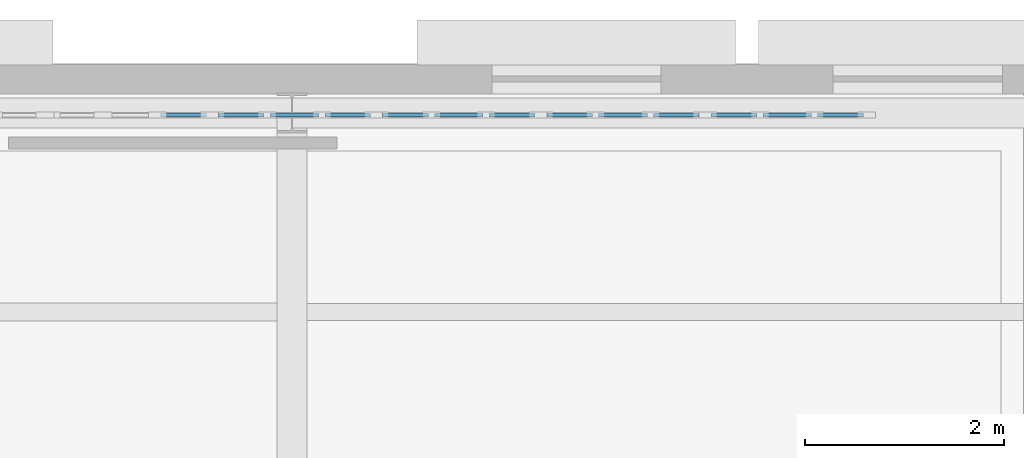
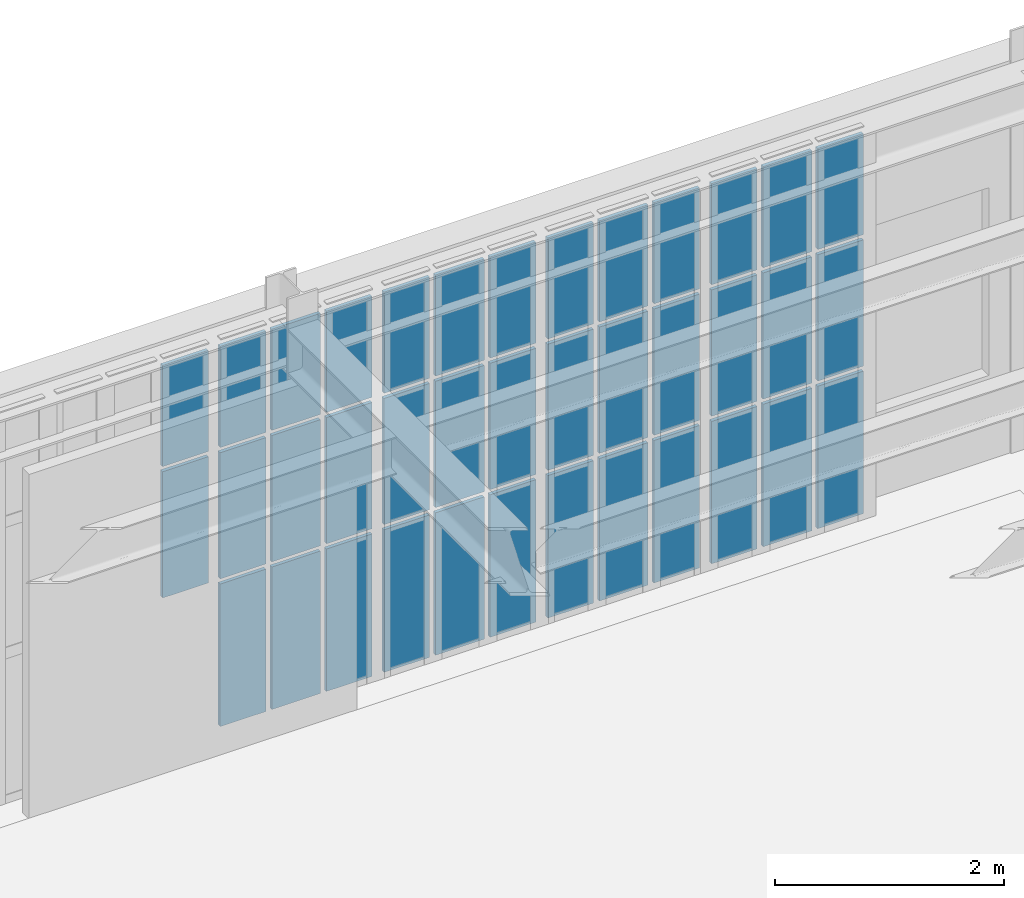
# One storey, part 59 of 91: 38 plates, 5 elements without a shape of their own.
"""IFC4 building model written with IfcOpenShell, lengths in metres."""

from ifc_helpers import new_model, si_unit, direction, frame, origin, origin_2d, place, context, subcontext, project, spatial, rectangle, extrude, material, layer, layer_set, type_object, element, aggregate, save


model = new_model("IFC4")

# Units and contexts
model_context = context("Model", 3, precision=1e-05, world=origin(), true_north=direction((0.0, 1.0)))
body_context = subcontext(model_context, "Body", "Model", "MODEL_VIEW")
ifc_project = project(units=[si_unit("LENGTHUNIT", "METRE"), si_unit("AREAUNIT", "SQUARE_METRE"), si_unit("VOLUMEUNIT", "CUBIC_METRE"), si_unit("PLANEANGLEUNIT", "RADIAN"), si_unit("MASSUNIT", "GRAM", prefix="KILO")], contexts=[model_context])

# Site, building, storey
site_placement = place(None, origin())
site = spatial("IfcSite", under=ifc_project, at=site_placement, CompositionType="ELEMENT")
building_placement = place(site_placement, origin())
building = spatial("IfcBuilding", under=site, at=building_placement, Name="Kolvaren Corner Interchange", CompositionType="ELEMENT")
storey_placement = place(building_placement, frame((0.0, 0.0, 6.0)))
storey = spatial("IfcBuildingStorey", under=building, at=storey_placement, Name="L02", CompositionType="ELEMENT", Elevation=6.0)

# Curtain wall, plates
ifc_material_1 = material(Name="Unitised Aluminium and Solar-Control Glass Curtain Wall", Category="aluminium")
curtain_wall_type = type_object("IfcCurtainWallType", Name="CW-V3-MEZZ", PredefinedType="NOTDEFINED", material=ifc_material_1)
curtain_wall_1_placement = place(storey_placement, origin())
curtain_wall_1 = element("IfcCurtainWall", 1, at=curtain_wall_1_placement, inside=storey, type_object=curtain_wall_type, Name="Cycle Mezzanine North Curtain Wall Bay 08", PredefinedType="NOTDEFINED")
ifc_material_2 = material(Name="Low-E Solar-Control Laminated Glass", Category="glass")
ifc_layer = layer(ifc_material_2, 0.035888671875)
ifc_layer_set = layer_set([ifc_layer], Name="Low-E Solar-Control Laminated Glass")
plate_type = type_object("IfcPlateType", Name="PLT-CW-GL32", PredefinedType="CURTAIN_PANEL", material=ifc_layer_set)
plate_1_placement = place(storey_placement, frame((104.909912109375, 113.47998046875, 1.62744140625), z_axis=(0.0, 0.0, 1.0), x_axis=(1.0, 0.0, 0.0)))
plate_1 = element("IfcPlate", 2, at=plate_1_placement, type_object=plate_type, Name="CW-121 panel 3.2", PredefinedType="CURTAIN_PANEL", context=body_context, shape_type="SweptSolid", body=[
    extrude(rectangle(XDim=0.4599609375, YDim=0.035888671875, at=origin_2d()), origin(), (0.0, 0.0, 1.0), 1.344970703125),
])
plate_2_placement = place(storey_placement, frame((104.909912109375, 113.47998046875, 3.02734375), z_axis=(0.0, 0.0, 1.0), x_axis=(1.0, 0.0, 0.0)))
plate_2 = element("IfcPlate", 3, at=plate_2_placement, type_object=plate_type, Name="CW-121 panel 3.3", PredefinedType="CURTAIN_PANEL", context=body_context, shape_type="SweptSolid", body=[
    extrude(rectangle(XDim=0.4599609375, YDim=0.035888671875, at=origin_2d()), origin(), (0.0, 0.0, 1.0), 1.077392578125),
])
aggregate(curtain_wall_1, [plate_1, plate_2])

curtain_wall_2_placement = place(storey_placement, origin())
curtain_wall_2 = element("IfcCurtainWall", 4, at=curtain_wall_2_placement, inside=storey, type_object=curtain_wall_type, Name="Cycle Mezzanine North Curtain Wall Bay 09", PredefinedType="NOTDEFINED")
plate_3_placement = place(storey_placement, frame((105.489990234375, 113.47998046875, 0.054931640625), z_axis=(0.0, 0.0, 1.0), x_axis=(1.0, 0.0, 0.0)))
plate_3 = element("IfcPlate", 5, at=plate_3_placement, type_object=plate_type, Name="CW-122 panel 1.1", PredefinedType="CURTAIN_PANEL", context=body_context, shape_type="SweptSolid", body=[
    extrude(rectangle(XDim=0.4599609375, YDim=0.035888671875, at=origin_2d()), origin(), (0.0, 0.0, 1.0), 1.517578125),
])
plate_4_placement = place(storey_placement, frame((105.489990234375, 113.47998046875, 1.62744140625), z_axis=(0.0, 0.0, 1.0), x_axis=(1.0, 0.0, 0.0)))
plate_4 = element("IfcPlate", 6, at=plate_4_placement, type_object=plate_type, Name="CW-122 panel 1.2", PredefinedType="CURTAIN_PANEL", context=body_context, shape_type="SweptSolid", body=[
    extrude(rectangle(XDim=0.4599609375, YDim=0.035888671875, at=origin_2d()), origin(), (0.0, 0.0, 1.0), 1.344970703125),
])
plate_5_placement = place(storey_placement, frame((105.489990234375, 113.47998046875, 3.02734375), z_axis=(0.0, 0.0, 1.0), x_axis=(1.0, 0.0, 0.0)))
plate_5 = element("IfcPlate", 7, at=plate_5_placement, type_object=plate_type, Name="CW-122 panel 1.3", PredefinedType="CURTAIN_PANEL", context=body_context, shape_type="SweptSolid", body=[
    extrude(rectangle(XDim=0.4599609375, YDim=0.035888671875, at=origin_2d()), origin(), (0.0, 0.0, 1.0), 1.077392578125),
])
plate_6_placement = place(storey_placement, frame((106.02490234375, 113.47998046875, 0.054931640625), z_axis=(0.0, 0.0, 1.0), x_axis=(1.0, 0.0, 0.0)))
plate_6 = element("IfcPlate", 8, at=plate_6_placement, type_object=plate_type, Name="CW-122 panel 2.1", PredefinedType="CURTAIN_PANEL", context=body_context, shape_type="SweptSolid", body=[
    extrude(rectangle(XDim=0.489990234375, YDim=0.035888671875, at=origin_2d()), origin(), (0.0, 0.0, 1.0), 1.517578125),
])
plate_7_placement = place(storey_placement, frame((106.02490234375, 113.47998046875, 1.62744140625), z_axis=(0.0, 0.0, 1.0), x_axis=(1.0, 0.0, 0.0)))
plate_7 = element("IfcPlate", 9, at=plate_7_placement, type_object=plate_type, Name="CW-122 panel 2.2", PredefinedType="CURTAIN_PANEL", context=body_context, shape_type="SweptSolid", body=[
    extrude(rectangle(XDim=0.489990234375, YDim=0.035888671875, at=origin_2d()), origin(), (0.0, 0.0, 1.0), 1.344970703125),
])
plate_8_placement = place(storey_placement, frame((106.02490234375, 113.47998046875, 3.02734375), z_axis=(0.0, 0.0, 1.0), x_axis=(1.0, 0.0, 0.0)))
plate_8 = element("IfcPlate", 10, at=plate_8_placement, type_object=plate_type, Name="CW-122 panel 2.3", PredefinedType="CURTAIN_PANEL", context=body_context, shape_type="SweptSolid", body=[
    extrude(rectangle(XDim=0.489990234375, YDim=0.035888671875, at=origin_2d()), origin(), (0.0, 0.0, 1.0), 1.077392578125),
])
plate_9_placement = place(storey_placement, frame((106.56005859375, 113.47998046875, 0.054931640625), z_axis=(0.0, 0.0, 1.0), x_axis=(1.0, 0.0, 0.0)))
plate_9 = element("IfcPlate", 11, at=plate_9_placement, type_object=plate_type, Name="CW-122 panel 3.1", PredefinedType="CURTAIN_PANEL", context=body_context, shape_type="SweptSolid", body=[
    extrude(rectangle(XDim=0.4599609375, YDim=0.035888671875, at=origin_2d()), origin(), (0.0, 0.0, 1.0), 1.517578125),
])
plate_10_placement = place(storey_placement, frame((106.56005859375, 113.47998046875, 1.62744140625), z_axis=(0.0, 0.0, 1.0), x_axis=(1.0, 0.0, 0.0)))
plate_10 = element("IfcPlate", 12, at=plate_10_placement, type_object=plate_type, Name="CW-122 panel 3.2", PredefinedType="CURTAIN_PANEL", context=body_context, shape_type="SweptSolid", body=[
    extrude(rectangle(XDim=0.4599609375, YDim=0.035888671875, at=origin_2d()), origin(), (0.0, 0.0, 1.0), 1.344970703125),
])
plate_11_placement = place(storey_placement, frame((106.56005859375, 113.47998046875, 3.02734375), z_axis=(0.0, 0.0, 1.0), x_axis=(1.0, 0.0, 0.0)))
plate_11 = element("IfcPlate", 13, at=plate_11_placement, type_object=plate_type, Name="CW-122 panel 3.3", PredefinedType="CURTAIN_PANEL", context=body_context, shape_type="SweptSolid", body=[
    extrude(rectangle(XDim=0.4599609375, YDim=0.035888671875, at=origin_2d()), origin(), (0.0, 0.0, 1.0), 1.077392578125),
])
aggregate(curtain_wall_2, [plate_3, plate_4, plate_5, plate_6, plate_7, plate_8, plate_9, plate_10, plate_11])

curtain_wall_3_placement = place(storey_placement, origin())
curtain_wall_3 = element("IfcCurtainWall", 14, at=curtain_wall_3_placement, inside=storey, type_object=curtain_wall_type, Name="Cycle Mezzanine North Curtain Wall Bay 10", PredefinedType="NOTDEFINED")
plate_12_placement = place(storey_placement, frame((107.139892578125, 113.47998046875, 0.054931640625), z_axis=(0.0, 0.0, 1.0), x_axis=(1.0, 0.0, 0.0)))
plate_12 = element("IfcPlate", 15, at=plate_12_placement, type_object=plate_type, Name="CW-123 panel 1.1", PredefinedType="CURTAIN_PANEL", context=body_context, shape_type="SweptSolid", body=[
    extrude(rectangle(XDim=0.4599609375, YDim=0.035888671875, at=origin_2d()), origin(), (0.0, 0.0, 1.0), 1.517578125),
])
plate_13_placement = place(storey_placement, frame((107.139892578125, 113.47998046875, 1.62744140625), z_axis=(0.0, 0.0, 1.0), x_axis=(1.0, 0.0, 0.0)))
plate_13 = element("IfcPlate", 16, at=plate_13_placement, type_object=plate_type, Name="CW-123 panel 1.2", PredefinedType="CURTAIN_PANEL", context=body_context, shape_type="SweptSolid", body=[
    extrude(rectangle(XDim=0.4599609375, YDim=0.035888671875, at=origin_2d()), origin(), (0.0, 0.0, 1.0), 1.344970703125),
])
plate_14_placement = place(storey_placement, frame((107.139892578125, 113.47998046875, 3.02734375), z_axis=(0.0, 0.0, 1.0), x_axis=(1.0, 0.0, 0.0)))
plate_14 = element("IfcPlate", 17, at=plate_14_placement, type_object=plate_type, Name="CW-123 panel 1.3", PredefinedType="CURTAIN_PANEL", context=body_context, shape_type="SweptSolid", body=[
    extrude(rectangle(XDim=0.4599609375, YDim=0.035888671875, at=origin_2d()), origin(), (0.0, 0.0, 1.0), 1.077392578125),
])
plate_15_placement = place(storey_placement, frame((107.675048828125, 113.47998046875, 0.054931640625), z_axis=(0.0, 0.0, 1.0), x_axis=(1.0, 0.0, 0.0)))
plate_15 = element("IfcPlate", 18, at=plate_15_placement, type_object=plate_type, Name="CW-123 panel 2.1", PredefinedType="CURTAIN_PANEL", context=body_context, shape_type="SweptSolid", body=[
    extrude(rectangle(XDim=0.489990234375, YDim=0.035888671875, at=origin_2d()), origin(), (0.0, 0.0, 1.0), 1.517578125),
])
plate_16_placement = place(storey_placement, frame((107.675048828125, 113.47998046875, 1.62744140625), z_axis=(0.0, 0.0, 1.0), x_axis=(1.0, 0.0, 0.0)))
plate_16 = element("IfcPlate", 19, at=plate_16_placement, type_object=plate_type, Name="CW-123 panel 2.2", PredefinedType="CURTAIN_PANEL", context=body_context, shape_type="SweptSolid", body=[
    extrude(rectangle(XDim=0.489990234375, YDim=0.035888671875, at=origin_2d()), origin(), (0.0, 0.0, 1.0), 1.344970703125),
])
plate_17_placement = place(storey_placement, frame((107.675048828125, 113.47998046875, 3.02734375), z_axis=(0.0, 0.0, 1.0), x_axis=(1.0, 0.0, 0.0)))
plate_17 = element("IfcPlate", 20, at=plate_17_placement, type_object=plate_type, Name="CW-123 panel 2.3", PredefinedType="CURTAIN_PANEL", context=body_context, shape_type="SweptSolid", body=[
    extrude(rectangle(XDim=0.489990234375, YDim=0.035888671875, at=origin_2d()), origin(), (0.0, 0.0, 1.0), 1.077392578125),
])
plate_18_placement = place(storey_placement, frame((108.2099609375, 113.47998046875, 0.054931640625), z_axis=(0.0, 0.0, 1.0), x_axis=(1.0, 0.0, 0.0)))
plate_18 = element("IfcPlate", 21, at=plate_18_placement, type_object=plate_type, Name="CW-123 panel 3.1", PredefinedType="CURTAIN_PANEL", context=body_context, shape_type="SweptSolid", body=[
    extrude(rectangle(XDim=0.4599609375, YDim=0.035888671875, at=origin_2d()), origin(), (0.0, 0.0, 1.0), 1.517578125),
])
plate_19_placement = place(storey_placement, frame((108.2099609375, 113.47998046875, 1.62744140625), z_axis=(0.0, 0.0, 1.0), x_axis=(1.0, 0.0, 0.0)))
plate_19 = element("IfcPlate", 22, at=plate_19_placement, type_object=plate_type, Name="CW-123 panel 3.2", PredefinedType="CURTAIN_PANEL", context=body_context, shape_type="SweptSolid", body=[
    extrude(rectangle(XDim=0.4599609375, YDim=0.035888671875, at=origin_2d()), origin(), (0.0, 0.0, 1.0), 1.344970703125),
])
plate_20_placement = place(storey_placement, frame((108.2099609375, 113.47998046875, 3.02734375), z_axis=(0.0, 0.0, 1.0), x_axis=(1.0, 0.0, 0.0)))
plate_20 = element("IfcPlate", 23, at=plate_20_placement, type_object=plate_type, Name="CW-123 panel 3.3", PredefinedType="CURTAIN_PANEL", context=body_context, shape_type="SweptSolid", body=[
    extrude(rectangle(XDim=0.4599609375, YDim=0.035888671875, at=origin_2d()), origin(), (0.0, 0.0, 1.0), 1.077392578125),
])
aggregate(curtain_wall_3, [plate_12, plate_13, plate_14, plate_15, plate_16, plate_17, plate_18, plate_19, plate_20])

curtain_wall_4_placement = place(storey_placement, origin())
curtain_wall_4 = element("IfcCurtainWall", 24, at=curtain_wall_4_placement, inside=storey, type_object=curtain_wall_type, Name="Cycle Mezzanine North Curtain Wall Bay 11", PredefinedType="NOTDEFINED")
plate_21_placement = place(storey_placement, frame((108.7900390625, 113.47998046875, 0.054931640625), z_axis=(0.0, 0.0, 1.0), x_axis=(1.0, 0.0, 0.0)))
plate_21 = element("IfcPlate", 25, at=plate_21_placement, type_object=plate_type, Name="CW-124 panel 1.1", PredefinedType="CURTAIN_PANEL", context=body_context, shape_type="SweptSolid", body=[
    extrude(rectangle(XDim=0.4599609375, YDim=0.035888671875, at=origin_2d()), origin(), (0.0, 0.0, 1.0), 1.517578125),
])
plate_22_placement = place(storey_placement, frame((108.7900390625, 113.47998046875, 1.62744140625), z_axis=(0.0, 0.0, 1.0), x_axis=(1.0, 0.0, 0.0)))
plate_22 = element("IfcPlate", 26, at=plate_22_placement, type_object=plate_type, Name="CW-124 panel 1.2", PredefinedType="CURTAIN_PANEL", context=body_context, shape_type="SweptSolid", body=[
    extrude(rectangle(XDim=0.4599609375, YDim=0.035888671875, at=origin_2d()), origin(), (0.0, 0.0, 1.0), 1.344970703125),
])
plate_23_placement = place(storey_placement, frame((108.7900390625, 113.47998046875, 3.02734375), z_axis=(0.0, 0.0, 1.0), x_axis=(1.0, 0.0, 0.0)))
plate_23 = element("IfcPlate", 27, at=plate_23_placement, type_object=plate_type, Name="CW-124 panel 1.3", PredefinedType="CURTAIN_PANEL", context=body_context, shape_type="SweptSolid", body=[
    extrude(rectangle(XDim=0.4599609375, YDim=0.035888671875, at=origin_2d()), origin(), (0.0, 0.0, 1.0), 1.077392578125),
])
plate_24_placement = place(storey_placement, frame((109.324951171875, 113.47998046875, 0.054931640625), z_axis=(0.0, 0.0, 1.0), x_axis=(1.0, 0.0, 0.0)))
plate_24 = element("IfcPlate", 28, at=plate_24_placement, type_object=plate_type, Name="CW-124 panel 2.1", PredefinedType="CURTAIN_PANEL", context=body_context, shape_type="SweptSolid", body=[
    extrude(rectangle(XDim=0.489990234375, YDim=0.035888671875, at=origin_2d()), origin(), (0.0, 0.0, 1.0), 1.517578125),
])
plate_25_placement = place(storey_placement, frame((109.324951171875, 113.47998046875, 1.62744140625), z_axis=(0.0, 0.0, 1.0), x_axis=(1.0, 0.0, 0.0)))
plate_25 = element("IfcPlate", 29, at=plate_25_placement, type_object=plate_type, Name="CW-124 panel 2.2", PredefinedType="CURTAIN_PANEL", context=body_context, shape_type="SweptSolid", body=[
    extrude(rectangle(XDim=0.489990234375, YDim=0.035888671875, at=origin_2d()), origin(), (0.0, 0.0, 1.0), 1.344970703125),
])
plate_26_placement = place(storey_placement, frame((109.324951171875, 113.47998046875, 3.02734375), z_axis=(0.0, 0.0, 1.0), x_axis=(1.0, 0.0, 0.0)))
plate_26 = element("IfcPlate", 30, at=plate_26_placement, type_object=plate_type, Name="CW-124 panel 2.3", PredefinedType="CURTAIN_PANEL", context=body_context, shape_type="SweptSolid", body=[
    extrude(rectangle(XDim=0.489990234375, YDim=0.035888671875, at=origin_2d()), origin(), (0.0, 0.0, 1.0), 1.077392578125),
])
plate_27_placement = place(storey_placement, frame((109.860107421875, 113.47998046875, 0.054931640625), z_axis=(0.0, 0.0, 1.0), x_axis=(1.0, 0.0, 0.0)))
plate_27 = element("IfcPlate", 31, at=plate_27_placement, type_object=plate_type, Name="CW-124 panel 3.1", PredefinedType="CURTAIN_PANEL", context=body_context, shape_type="SweptSolid", body=[
    extrude(rectangle(XDim=0.4599609375, YDim=0.035888671875, at=origin_2d()), origin(), (0.0, 0.0, 1.0), 1.517578125),
])
plate_28_placement = place(storey_placement, frame((109.860107421875, 113.47998046875, 1.62744140625), z_axis=(0.0, 0.0, 1.0), x_axis=(1.0, 0.0, 0.0)))
plate_28 = element("IfcPlate", 32, at=plate_28_placement, type_object=plate_type, Name="CW-124 panel 3.2", PredefinedType="CURTAIN_PANEL", context=body_context, shape_type="SweptSolid", body=[
    extrude(rectangle(XDim=0.4599609375, YDim=0.035888671875, at=origin_2d()), origin(), (0.0, 0.0, 1.0), 1.344970703125),
])
plate_29_placement = place(storey_placement, frame((109.860107421875, 113.47998046875, 3.02734375), z_axis=(0.0, 0.0, 1.0), x_axis=(1.0, 0.0, 0.0)))
plate_29 = element("IfcPlate", 33, at=plate_29_placement, type_object=plate_type, Name="CW-124 panel 3.3", PredefinedType="CURTAIN_PANEL", context=body_context, shape_type="SweptSolid", body=[
    extrude(rectangle(XDim=0.4599609375, YDim=0.035888671875, at=origin_2d()), origin(), (0.0, 0.0, 1.0), 1.077392578125),
])
aggregate(curtain_wall_4, [plate_21, plate_22, plate_23, plate_24, plate_25, plate_26, plate_27, plate_28, plate_29])

curtain_wall_5_placement = place(storey_placement, origin())
curtain_wall_5 = element("IfcCurtainWall", 34, at=curtain_wall_5_placement, inside=storey, type_object=curtain_wall_type, Name="Cycle Mezzanine North Curtain Wall Bay 12", PredefinedType="NOTDEFINED")
plate_30_placement = place(storey_placement, frame((110.43994140625, 113.47998046875, 0.054931640625), z_axis=(0.0, 0.0, 1.0), x_axis=(1.0, 0.0, 0.0)))
plate_30 = element("IfcPlate", 35, at=plate_30_placement, type_object=plate_type, Name="CW-125 panel 1.1", PredefinedType="CURTAIN_PANEL", context=body_context, shape_type="SweptSolid", body=[
    extrude(rectangle(XDim=0.4599609375, YDim=0.035888671875, at=origin_2d()), origin(), (0.0, 0.0, 1.0), 1.517578125),
])
plate_31_placement = place(storey_placement, frame((110.43994140625, 113.47998046875, 1.62744140625), z_axis=(0.0, 0.0, 1.0), x_axis=(1.0, 0.0, 0.0)))
plate_31 = element("IfcPlate", 36, at=plate_31_placement, type_object=plate_type, Name="CW-125 panel 1.2", PredefinedType="CURTAIN_PANEL", context=body_context, shape_type="SweptSolid", body=[
    extrude(rectangle(XDim=0.4599609375, YDim=0.035888671875, at=origin_2d()), origin(), (0.0, 0.0, 1.0), 1.344970703125),
])
plate_32_placement = place(storey_placement, frame((110.43994140625, 113.47998046875, 3.02734375), z_axis=(0.0, 0.0, 1.0), x_axis=(1.0, 0.0, 0.0)))
plate_32 = element("IfcPlate", 37, at=plate_32_placement, type_object=plate_type, Name="CW-125 panel 1.3", PredefinedType="CURTAIN_PANEL", context=body_context, shape_type="SweptSolid", body=[
    extrude(rectangle(XDim=0.4599609375, YDim=0.035888671875, at=origin_2d()), origin(), (0.0, 0.0, 1.0), 1.077392578125),
])
plate_33_placement = place(storey_placement, frame((110.97509765625, 113.47998046875, 0.054931640625), z_axis=(0.0, 0.0, 1.0), x_axis=(1.0, 0.0, 0.0)))
plate_33 = element("IfcPlate", 38, at=plate_33_placement, type_object=plate_type, Name="CW-125 panel 2.1", PredefinedType="CURTAIN_PANEL", context=body_context, shape_type="SweptSolid", body=[
    extrude(rectangle(XDim=0.489990234375, YDim=0.035888671875, at=origin_2d()), origin(), (0.0, 0.0, 1.0), 1.517578125),
])
plate_34_placement = place(storey_placement, frame((110.97509765625, 113.47998046875, 1.62744140625), z_axis=(0.0, 0.0, 1.0), x_axis=(1.0, 0.0, 0.0)))
plate_34 = element("IfcPlate", 39, at=plate_34_placement, type_object=plate_type, Name="CW-125 panel 2.2", PredefinedType="CURTAIN_PANEL", context=body_context, shape_type="SweptSolid", body=[
    extrude(rectangle(XDim=0.489990234375, YDim=0.035888671875, at=origin_2d()), origin(), (0.0, 0.0, 1.0), 1.344970703125),
])
plate_35_placement = place(storey_placement, frame((110.97509765625, 113.47998046875, 3.02734375), z_axis=(0.0, 0.0, 1.0), x_axis=(1.0, 0.0, 0.0)))
plate_35 = element("IfcPlate", 40, at=plate_35_placement, type_object=plate_type, Name="CW-125 panel 2.3", PredefinedType="CURTAIN_PANEL", context=body_context, shape_type="SweptSolid", body=[
    extrude(rectangle(XDim=0.489990234375, YDim=0.035888671875, at=origin_2d()), origin(), (0.0, 0.0, 1.0), 1.077392578125),
])
plate_36_placement = place(storey_placement, frame((111.510009765625, 113.47998046875, 0.054931640625), z_axis=(0.0, 0.0, 1.0), x_axis=(1.0, 0.0, 0.0)))
plate_36 = element("IfcPlate", 41, at=plate_36_placement, type_object=plate_type, Name="CW-125 panel 3.1", PredefinedType="CURTAIN_PANEL", context=body_context, shape_type="SweptSolid", body=[
    extrude(rectangle(XDim=0.4599609375, YDim=0.035888671875, at=origin_2d()), origin(), (0.0, 0.0, 1.0), 1.517578125),
])
plate_37_placement = place(storey_placement, frame((111.510009765625, 113.47998046875, 1.62744140625), z_axis=(0.0, 0.0, 1.0), x_axis=(1.0, 0.0, 0.0)))
plate_37 = element("IfcPlate", 42, at=plate_37_placement, type_object=plate_type, Name="CW-125 panel 3.2", PredefinedType="CURTAIN_PANEL", context=body_context, shape_type="SweptSolid", body=[
    extrude(rectangle(XDim=0.4599609375, YDim=0.035888671875, at=origin_2d()), origin(), (0.0, 0.0, 1.0), 1.344970703125),
])
plate_38_placement = place(storey_placement, frame((111.510009765625, 113.47998046875, 3.02734375), z_axis=(0.0, 0.0, 1.0), x_axis=(1.0, 0.0, 0.0)))
plate_38 = element("IfcPlate", 43, at=plate_38_placement, type_object=plate_type, Name="CW-125 panel 3.3", PredefinedType="CURTAIN_PANEL", context=body_context, shape_type="SweptSolid", body=[
    extrude(rectangle(XDim=0.4599609375, YDim=0.035888671875, at=origin_2d()), origin(), (0.0, 0.0, 1.0), 1.077392578125),
])
aggregate(curtain_wall_5, [plate_30, plate_31, plate_32, plate_33, plate_34, plate_35, plate_36, plate_37, plate_38])

save(model, "model.ifc")
